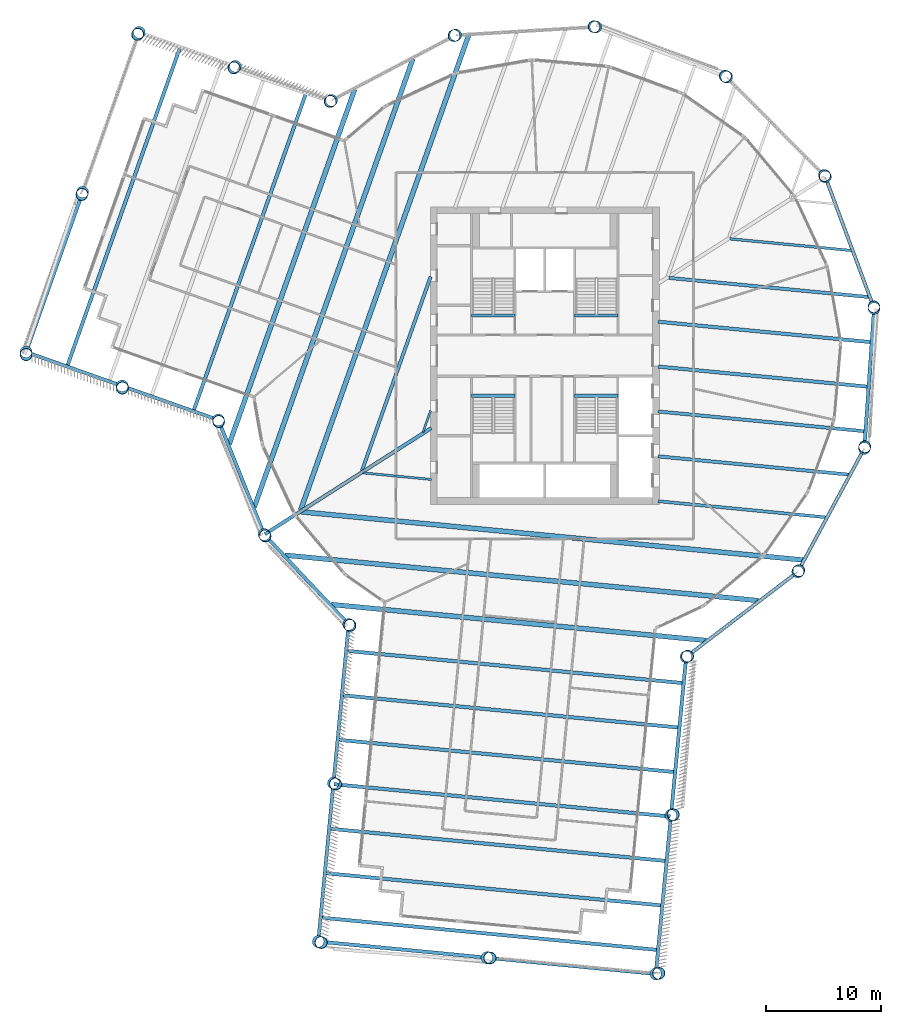
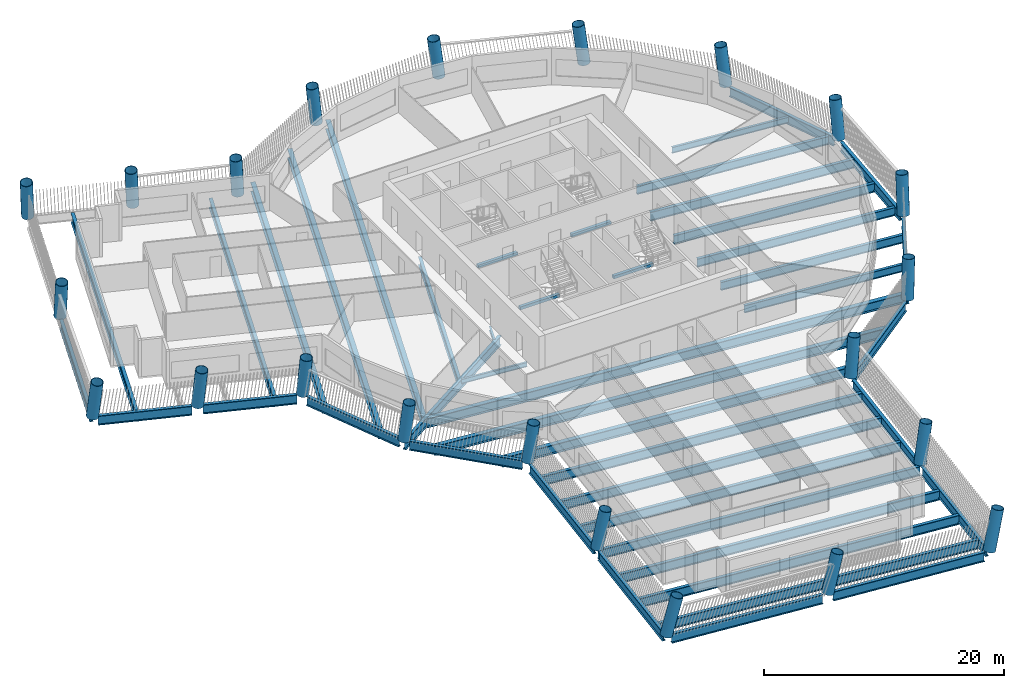
# One storey, part 1 of 15: 45 beams, 22 columns.
"""IFC4 building model written with IfcOpenShell, lengths in metres."""

import ifcopenshell
import ifcopenshell.guid

model = None  # the IFC model being written
_history = None  # IfcOwnerHistory: only IFC2X3 demands one
_inside = {}  # id of a spatial element -> (the spatial element, [elements in it])
_under = {}  # id of a project, library or spatial element -> (it, [spatial elements below it])
_declared = {}  # id of a project -> (the project, [libraries it declares])
_typed = {}  # id of a type object -> (the type object, [elements of that type])
_made_of = {}  # id of a material, layer set ... -> (it, [elements and type objects made of it])


def new_model(schema):
    """Start an empty IFC model of exactly this schema.

    Asked for "IFC4X3", IfcOpenShell would pick the latest addendum, in which some entities
    have other attributes; the version numbers below select the first issue.
    IFC2X3 requires an IfcOwnerHistory on every rooted entity: one is made here for all.
    """
    global model, _history
    if schema == "IFC4X3":
        model = ifcopenshell.file(schema_version=(4, 3, 0, 0))
    else:
        model = ifcopenshell.file(schema=schema)
    _inside.clear()
    _under.clear()
    _declared.clear()
    _typed.clear()
    _made_of.clear()
    _history = None
    if model.schema == "IFC2X3":
        org = make("IfcOrganization", Name="unknown")
        user = make(
            "IfcPersonAndOrganization",
            ThePerson=make("IfcPerson", FamilyName="unknown"),
            TheOrganization=org,
        )
        app = make(
            "IfcApplication",
            ApplicationDeveloper=org,
            Version="unknown",
            ApplicationFullName="unknown",
            ApplicationIdentifier="unknown",
        )
        _history = make(
            "IfcOwnerHistory",
            OwningUser=user,
            OwningApplication=app,
            ChangeAction="ADDED",
            CreationDate=0,
        )
    return model


def make(cls, **values):
    """One entity of the class cls with the attributes given. An attribute that is None is left unset."""
    return model.create_entity(
        cls, **{name: value for name, value in values.items() if value is not None}
    )


def rooted(cls, **values):
    """An entity with a GlobalId (a new one), such as an element, a storey or a relation."""
    return make(cls, GlobalId=ifcopenshell.guid.new(), OwnerHistory=_history, **values)


def si_unit(unit_type, name, prefix=None):
    """IfcSIUnit, for example si_unit("LENGTHUNIT", "METRE", prefix="MILLI")."""
    return make("IfcSIUnit", UnitType=unit_type, Prefix=prefix, Name=name)


def assignment(units):
    """IfcUnitAssignment: the units of a project."""
    return None if units is None else make("IfcUnitAssignment", Units=units)


def point(xyz):
    """IfcCartesianPoint."""
    return None if xyz is None else make("IfcCartesianPoint", Coordinates=xyz)


def direction(xyz):
    """IfcDirection."""
    return None if xyz is None else make("IfcDirection", DirectionRatios=xyz)


def frame(location, z_axis=None, x_axis=None):
    """IfcAxis2Placement3D, a coordinate frame: its origin and axes. An axis left out is left unset."""
    return make(
        "IfcAxis2Placement3D",
        Location=point(location),
        Axis=direction(z_axis),
        RefDirection=direction(x_axis),
    )


def frame_2d(location, x_axis=None):
    """IfcAxis2Placement2D, a coordinate frame in the plane: its origin and x axis."""
    return make(
        "IfcAxis2Placement2D", Location=point(location), RefDirection=direction(x_axis)
    )


def origin():
    """The frame at (0, 0, 0) with its axes left unset."""
    return frame((0.0, 0.0, 0.0))


def origin_2d():
    """The frame at (0, 0) in the plane with its x axis left unset."""
    return frame_2d((0.0, 0.0))


def place(relative_to, where):
    """IfcLocalPlacement: puts the frame where relative to a parent placement (None: the world)."""
    return make(
        "IfcLocalPlacement", PlacementRelTo=relative_to, RelativePlacement=where
    )


def context(
    kind, dimensions, precision=None, world=None, true_north=None, identifier=None
):
    """IfcGeometricRepresentationContext, for example the 3D "Model" context."""
    return make(
        "IfcGeometricRepresentationContext",
        ContextIdentifier=identifier,
        ContextType=kind,
        CoordinateSpaceDimension=dimensions,
        Precision=precision,
        WorldCoordinateSystem=world,
        TrueNorth=true_north,
    )


def subcontext(parent, identifier, kind, view, scale=None):
    """IfcGeometricRepresentationSubContext, for example "Body" below "Model"."""
    return make(
        "IfcGeometricRepresentationSubContext",
        ContextIdentifier=identifier,
        ContextType=kind,
        ParentContext=parent,
        TargetScale=scale,
        TargetView=view,
    )


def project(units=None, contexts=None):
    """IfcProject with its units and contexts."""
    return rooted(
        "IfcProject",
        Name="project",
        RepresentationContexts=contexts,
        UnitsInContext=assignment(units),
    )


def spatial(cls, under=None, at=None, **own):
    """A site, building, storey or space (cls), placed at a placement, below another one or the project."""
    s = rooted(cls, ObjectPlacement=at, **own)
    if under is not None:
        _under.setdefault(under.id(), (under, []))[1].append(s)
    return s


def profile(cls, at=None, kind="AREA", **sizes):
    """A parametric profile (cls). Its sizes go by their IFC names, for example OverallWidth=200.0."""
    return make(cls, ProfileType=kind, Position=at, **sizes)


def rectangle(**sizes):
    """IfcRectangleProfileDef."""
    return profile("IfcRectangleProfileDef", **sizes)


def hollow_circle(**sizes):
    """IfcCircleHollowProfileDef."""
    return profile("IfcCircleHollowProfileDef", **sizes)


def i_section(**sizes):
    """IfcIShapeProfileDef."""
    return profile("IfcIShapeProfileDef", **sizes)


def extrude(swept, where, along, depth):
    """IfcExtrudedAreaSolid: the profile swept, set in the frame where, extruded along a direction by depth."""
    return make(
        "IfcExtrudedAreaSolid",
        SweptArea=swept,
        Position=where,
        ExtrudedDirection=direction(along),
        Depth=depth,
    )


def shape(context_of_items, identifier, shape_type, items):
    """IfcShapeRepresentation: the items that make up one representation, for example the "Body"."""
    return make(
        "IfcShapeRepresentation",
        ContextOfItems=context_of_items,
        RepresentationIdentifier=identifier,
        RepresentationType=shape_type,
        Items=items,
    )


def material(Name=None, Category=None):
    """IfcMaterial."""
    return make("IfcMaterial", Name=Name, Category=Category)


def material_profile(
    of_material, cross_section, Name=None, Category=None, Priority=None
):
    """IfcMaterialProfile: a cross section and its material."""
    return make(
        "IfcMaterialProfile",
        Name=Name,
        Material=of_material,
        Profile=cross_section,
        Priority=Priority,
        Category=Category,
    )


def profile_set(profiles, Name=None, composite=None):
    """IfcMaterialProfileSet."""
    return make(
        "IfcMaterialProfileSet",
        Name=Name,
        MaterialProfiles=profiles,
        CompositeProfile=composite,
    )


def made_of(thing, what):
    """Note that an element or type object is made of a material, layer set ...; save() writes the relation."""
    if what is not None:
        _made_of.setdefault(what.id(), (what, []))[1].append(thing)
    return thing


def type_object(cls, material=None, **own):
    """A type object (cls), such as IfcWallType, which elements share."""
    return made_of(rooted(cls, **own), material)


def element(
    cls,
    number,
    at=None,
    inside=None,
    cuts=None,
    type_object=None,
    material=None,
    context=None,
    identifier="Body",
    shape_type=None,
    held_by="IfcProductDefinitionShape",
    body=None,
    shapes=None,
    **own,
):
    """One element of the class cls, such as IfcWall. Its Tag is "e" and its number.

    at: its placement. inside: the storey or other place that contains it. cuts: it is an
    opening in that element (IfcRelVoidsElement). A single representation is given by context,
    identifier, shape_type and body (its items); several are given by shapes. held_by: the class
    of the entity that holds the representations. save() writes the other relations.
    """
    e = rooted(cls, Tag="e%d" % number, ObjectPlacement=at, **own)
    if body is not None:
        shapes = [shape(context, identifier, shape_type, body)]
    if shapes is not None:
        e.Representation = make(held_by, Representations=shapes)
    if inside is not None:
        _inside.setdefault(inside.id(), (inside, []))[1].append(e)
    if cuts is not None:
        rooted(
            "IfcRelVoidsElement", RelatingBuildingElement=cuts, RelatedOpeningElement=e
        )
    if type_object is not None:
        _typed.setdefault(type_object.id(), (type_object, []))[1].append(e)
    return made_of(e, material)


def aggregate(whole, parts):
    """IfcRelAggregates: a whole, such as a stair, and the parts it consists of."""
    return rooted("IfcRelAggregates", RelatingObject=whole, RelatedObjects=parts)


def save(model, path):
    """Write the relations noted so far, then the file.

    IfcRelAggregates (storeys below a building ...), IfcRelContainedInSpatialStructure (elements
    in a storey), IfcRelDefinesByType, IfcRelAssociatesMaterial and IfcRelDeclares: one each for
    every whole, place, type object, material and project.
    """
    for whole, parts in _under.values():
        aggregate(whole, parts)
    for where, things in _inside.values():
        rooted(
            "IfcRelContainedInSpatialStructure",
            RelatedElements=things,
            RelatingStructure=where,
        )
    for kind, things in _typed.values():
        rooted("IfcRelDefinesByType", RelatedObjects=things, RelatingType=kind)
    for what, things in _made_of.values():
        rooted("IfcRelAssociatesMaterial", RelatedObjects=things, RelatingMaterial=what)
    for by, libraries in _declared.values():
        rooted("IfcRelDeclares", RelatingContext=by, RelatedDefinitions=libraries)
    model.write(path)


model = new_model("IFC4")

# Units and contexts
model_context = context("Model", 3, precision=1e-05, world=origin(), true_north=direction((0.0, 1.0)))
body_context = subcontext(model_context, "Body", "Model", "MODEL_VIEW")
ifc_project = project(units=[si_unit("LENGTHUNIT", "METRE"), si_unit("AREAUNIT", "SQUARE_METRE"), si_unit("VOLUMEUNIT", "CUBIC_METRE"), si_unit("PLANEANGLEUNIT", "RADIAN"), si_unit("MASSUNIT", "GRAM", prefix="KILO")], contexts=[model_context])

# Site, building, storey
site_placement = place(None, origin())
site = spatial("IfcSite", under=ifc_project, at=site_placement, CompositionType="ELEMENT")
building_placement = place(site_placement, origin())
building = spatial("IfcBuilding", under=site, at=building_placement, Name="Tarsis Ring Headquarters", CompositionType="ELEMENT")
storey_placement = place(building_placement, frame((0.0, 0.0, 204.300048828125)))
storey = spatial("IfcBuildingStorey", under=building, at=storey_placement, Name="L47", CompositionType="ELEMENT", Elevation=204.300048828125)

# Columns
ifc_material_1 = material(Name="Structural steel S355", Category="steel")
ifc_material_profile_1 = material_profile(ifc_material_1, hollow_circle(Radius=0.533447265625, WallThickness=0.044921875, at=origin_2d()), Name="CHS 1067x45")
ifc_profile_set_1 = profile_set([ifc_material_profile_1], Name="Structural steel S355")
column_type = type_object("IfcColumnType", Name="XC Exo column CHS 1067x45", PredefinedType="COLUMN", material=ifc_profile_set_1)
for number, where, z_axis, x_axis, name in (
    (1, (-24.49365234375, -15.616455078125, 0.0009765625), (0.067433901761, -0.103854423818, 0.992303848399), (0.838707268363, 0.544582517159, 0.0), "Exo column XC5 F1"),
    (2, (-17.119384765625, -23.468017578125, 0.0009765625), (0.1006841645, -0.072156984559, 0.992298376799), (0.582518941428, 0.812817127574, 0.0), "Exo column XC5 AK"),
):
    element("IfcColumn", number, at=place(storey_placement, frame(where, z_axis=z_axis, x_axis=x_axis)), inside=storey, type_object=column_type, Name=name, PredefinedType="COLUMN", context=body_context, shape_type="SweptSolid", body=[
        extrude(hollow_circle(Radius=0.533447265625, WallThickness=0.044921875, at=origin_2d()), origin(), (0.0, 0.0, 1.0), 3.92822265625),
    ])
column_1_placement = place(storey_placement, frame((-18.44677734375, -37.306640625, 0.001220703125), z_axis=(0.158412352334, -0.076708823007, 0.984388786558), x_axis=(0.435826472555, 0.900030713821, 0.0)))
element("IfcColumn", 3, at=column_1_placement, inside=storey, type_object=column_type, Name="Exo column XC5 AI1", PredefinedType="COLUMN", context=body_context, shape_type="SweptSolid", body=[
    extrude(hollow_circle(Radius=0.533447265625, WallThickness=0.044921875, at=origin_2d()), origin(), (0.0, 0.0, 1.0), 3.959228515625),
])
column_2_placement = place(storey_placement, frame((-19.7744140625, -51.1455078125, 0.001708984375), z_axis=(0.21461177935, -0.080868206711, 0.973345836436), x_axis=(0.352609234174, 0.935770659924, 0.0)))
element("IfcColumn", 4, at=column_2_placement, inside=storey, type_object=column_type, Name="Exo column XC5 AT1", PredefinedType="COLUMN", context=body_context, shape_type="SweptSolid", body=[
    extrude(hollow_circle(Radius=0.533447265625, WallThickness=0.044921875, at=origin_2d()), origin(), (0.0, 0.0, 1.0), 4.003173828125),
])
column_3_placement = place(storey_placement, frame((-5.0419921875, -52.558837890625, 0.001708984375), z_axis=(0.220401983568, -0.019247747387, 0.975219200929), x_axis=(0.086999069513, 0.996208392809, 0.0)))
element("IfcColumn", 5, at=column_3_placement, inside=storey, type_object=column_type, Name="Exo column XC5 AT2", PredefinedType="COLUMN", context=body_context, shape_type="SweptSolid", body=[
    extrude(hollow_circle(Radius=0.533447265625, WallThickness=0.044921875, at=origin_2d()), origin(), (0.0, 0.0, 1.0), 3.99560546875),
])
column_4_placement = place(storey_placement, frame((9.6904296875, -53.971923828125, 0.001708984375), z_axis=(0.225347759031, 0.042386114351, 0.973355949697), x_axis=(-0.184850559014, 0.982766641086, 0.0)))
element("IfcColumn", 6, at=column_4_placement, inside=storey, type_object=column_type, Name="Exo column XC5 AT3", PredefinedType="COLUMN", context=body_context, shape_type="SweptSolid", body=[
    extrude(hollow_circle(Radius=0.533447265625, WallThickness=0.044921875, at=origin_2d()), origin(), (0.0, 0.0, 1.0), 4.003173828125),
])
column_5_placement = place(storey_placement, frame((11.017822265625, -40.13330078125, 0.001220703125), z_axis=(0.169326691277, 0.048035503461, 0.984388674269), x_axis=(-0.272916054652, 0.962037851185, 0.0)))
element("IfcColumn", 7, at=column_5_placement, inside=storey, type_object=column_type, Name="Exo column XC5 AO1", PredefinedType="COLUMN", context=body_context, shape_type="SweptSolid", body=[
    extrude(hollow_circle(Radius=0.533447265625, WallThickness=0.044921875, at=origin_2d()), origin(), (0.0, 0.0, 1.0), 3.959228515625),
])
for number, where, z_axis, x_axis, name in (
    (8, (12.345458984375, -26.294677734375, 0.0009765625), (0.111623480272, 0.053574298438, 0.992305393112), (-0.432698429438, 0.901538723052, 0.0), "Exo column XC5 AJ"),
    (9, (22.086181640625, -18.8681640625, 0.0009765625), (0.079677709665, 0.094780426863, 0.992304455934), (-0.76545760543, 0.643486327974, 0.0), "Exo column XC5 R1"),
    (10, (27.900146484375, -8.087158203125, 0.0009765625), (0.033437107136, 0.11926730222, 0.992298982408), (-0.962875378254, 0.26994630198, 0.0), "Exo column XC5 R2"),
    (11, (28.753173828125, 4.132080078125, 0.0009765625), (-0.018645408668, 0.122376032223, 0.992308649299), (-0.988591223819, -0.150623345427, 0.0), "Exo column XC5 R3"),
    (12, (24.49365234375, 15.616455078125, 0.0009765625), (-0.067433901761, 0.103854423818, 0.992303848399), (-0.838707268363, -0.544582517159, 0.0), "Exo column XC5 R4"),
    (13, (15.879150390625, 24.32421875, 0.0009765625), (-0.104227634557, 0.066812586255, 0.992306746179), (-0.53966611472, -0.841879138964, 0.0), "Exo column XC5 R5"),
    (14, (4.44140625, 28.70703125, 0.0009765625), (-0.122561357897, 0.017899427522, 0.992299513275), (-0.144511609646, -0.989503104936, 0.0), "Exo column XC5 R6"),
    (15, (-7.7861328125, 27.985595703125, 0.0009765625), (-0.119019223295, -0.034183066743, 0.992303352022), (0.276046648251, -0.96114423891, 0.0), "Exo column XC5 R7"),
    (16, (-18.62939453125, 22.2880859375, 0.0009765625), (-0.094345501274, -0.080175030727, 0.992305845411), (0.647560987339, -0.762013626962, 0.0), "Exo column XC5 BJ"),
):
    element("IfcColumn", number, at=place(storey_placement, frame(where, z_axis=z_axis, x_axis=x_axis)), inside=storey, type_object=column_type, Name=name, PredefinedType="COLUMN", context=body_context, shape_type="SweptSolid", body=[
        extrude(hollow_circle(Radius=0.533447265625, WallThickness=0.044921875, at=origin_2d()), origin(), (0.0, 0.0, 1.0), 3.92822265625),
    ])
column_6_placement = place(storey_placement, frame((-27.02197265625, 25.2568359375, 0.001220703125), z_axis=(-0.106221285416, -0.115562819544, 0.987604310067), x_axis=(0.73623729326, -0.67672346495, 0.0)))
element("IfcColumn", 17, at=column_6_placement, inside=storey, type_object=column_type, Name="Exo column XC5 BO1", PredefinedType="COLUMN", context=body_context, shape_type="SweptSolid", body=[
    extrude(hollow_circle(Radius=0.533447265625, WallThickness=0.044921875, at=origin_2d()), origin(), (0.0, 0.0, 1.0), 3.9462890625),
])
column_7_placement = place(storey_placement, frame((-35.414794921875, 28.225341796875, 0.00146484375), z_axis=(-0.11776516929, -0.150296644253, 0.981601896712), x_axis=(0.787144659051, -0.616768421474, 0.0)))
element("IfcColumn", 18, at=column_7_placement, inside=storey, type_object=column_type, Name="Exo column XC5 BT3", PredefinedType="COLUMN", context=body_context, shape_type="SweptSolid", body=[
    extrude(hollow_circle(Radius=0.533447265625, WallThickness=0.044921875, at=origin_2d()), origin(), (0.0, 0.0, 1.0), 3.969970703125),
])
column_8_placement = place(storey_placement, frame((-40.35009765625, 14.272705078125, 0.00146484375), z_axis=(-0.058904086692, -0.171043665958, 0.98350107926), x_axis=(0.945503209706, -0.32561277683, 0.0)))
element("IfcColumn", 19, at=column_8_placement, inside=storey, type_object=column_type, Name="Exo column XC5 BT2", PredefinedType="COLUMN", context=body_context, shape_type="SweptSolid", body=[
    extrude(hollow_circle(Radius=0.533447265625, WallThickness=0.044921875, at=origin_2d()), origin(), (0.0, 0.0, 1.0), 3.96240234375),
])
column_9_placement = place(storey_placement, frame((-45.285400390625, 0.31982421875, 0.00146484375), z_axis=(0.000245981483, -0.191004621289, 0.981589106571), x_axis=(0.999999170748, 0.001287828939, 0.0)))
element("IfcColumn", 20, at=column_9_placement, inside=storey, type_object=column_type, Name="Exo column XC5 BT1", PredefinedType="COLUMN", context=body_context, shape_type="SweptSolid", body=[
    extrude(hollow_circle(Radius=0.533447265625, WallThickness=0.044921875, at=origin_2d()), origin(), (0.0, 0.0, 1.0), 3.969970703125),
])
column_10_placement = place(storey_placement, frame((-36.892822265625, -2.64892578125, 0.001220703125), z_axis=(0.012558618937, -0.15639501809, 0.987614742401), x_axis=(0.996791413053, 0.080042981349, 0.0)))
element("IfcColumn", 21, at=column_10_placement, inside=storey, type_object=column_type, Name="Exo column XC5 BI1", PredefinedType="COLUMN", context=body_context, shape_type="SweptSolid", body=[
    extrude(hollow_circle(Radius=0.533447265625, WallThickness=0.044921875, at=origin_2d()), origin(), (0.0, 0.0, 1.0), 3.9462890625),
])
column_11_placement = place(storey_placement, frame((-28.500244140625, -5.617431640625, 0.0009765625), z_axis=(0.024984608898, -0.121318299921, 0.992299168307), x_axis=(0.979445382349, 0.201709551078, 0.0)))
element("IfcColumn", 22, at=column_11_placement, inside=storey, type_object=column_type, Name="Exo column XC5 BK", PredefinedType="COLUMN", context=body_context, shape_type="SweptSolid", body=[
    extrude(hollow_circle(Radius=0.533447265625, WallThickness=0.044921875, at=origin_2d()), origin(), (0.0, 0.0, 1.0), 3.92822265625),
])

# Beams
ifc_material_profile_2 = material_profile(ifc_material_1, i_section(OverallWidth=0.177734375, OverallDepth=0.406494140625, WebThickness=0.0078125, FlangeThickness=0.0126953125, at=origin_2d()), Name="W16x40")
ifc_profile_set_2 = profile_set([ifc_material_profile_2], Name="Structural steel S355")
beam_type_1 = type_object("IfcBeamType", Name="FB Floor beam W16x40", PredefinedType="JOIST", material=ifc_profile_set_2)
beam_1_placement = place(storey_placement, frame((-9.966552734375, -4.786376953125, -0.36328125), z_axis=(-0.333568615695, -0.942725823675, 0.0), x_axis=(0.942725823675, -0.333568615695, 0.0)))
element("IfcBeam", 23, at=beam_1_placement, inside=storey, type_object=beam_type_1, Name="Floor beam FB1", PredefinedType="JOIST", context=body_context, shape_type="SweptSolid", body=[
    extrude(i_section(OverallWidth=0.177734375, OverallDepth=0.406494140625, WebThickness=0.0078125, FlangeThickness=0.0126953125, at=origin_2d()), origin(), (0.0, 0.0, 1.0), 1.995849609375),
])
ifc_material_profile_3 = material_profile(ifc_material_1, i_section(OverallWidth=0.1904296875, OverallDepth=0.457275390625, WebThickness=0.009033203125, FlangeThickness=0.014404296875, at=origin_2d()), Name="W18x50")
ifc_profile_set_3 = profile_set([ifc_material_profile_3], Name="Structural steel S355")
beam_type_2 = type_object("IfcBeamType", Name="FB Floor beam W18x50", PredefinedType="JOIST", material=ifc_profile_set_3)
beam_2_placement = place(storey_placement, frame((-15.873291015625, -10.23095703125, -0.388671875), z_axis=(0.995429953053, -0.095494547305, 0.0), x_axis=(0.095494547305, 0.995429953053, 0.0)))
element("IfcBeam", 24, at=beam_2_placement, inside=storey, type_object=beam_type_2, Name="Floor beam FB2", PredefinedType="JOIST", context=body_context, shape_type="SweptSolid", body=[
    extrude(i_section(OverallWidth=0.1904296875, OverallDepth=0.457275390625, WebThickness=0.009033203125, FlangeThickness=0.014404296875, at=origin_2d()), origin(), (0.0, 0.0, 1.0), 6.000244140625),
])
ifc_material_profile_4 = material_profile(ifc_material_1, i_section(OverallWidth=0.228271484375, OverallDepth=0.607177734375, WebThickness=0.01123046875, FlangeThickness=0.017333984375, at=origin_2d()), Name="W24x76")
ifc_profile_set_4 = profile_set([ifc_material_profile_4], Name="Structural steel S355")
beam_type_3 = type_object("IfcBeamType", Name="FB Floor beam W24x76", PredefinedType="JOIST", material=ifc_profile_set_4)
beam_3_placement = place(storey_placement, frame((16.17529296875, 10.201904296875, -0.463623046875), z_axis=(0.995430438947, -0.095489482241, 0.0), x_axis=(0.095489482241, 0.995430438947, 0.0)))
element("IfcBeam", 25, at=beam_3_placement, inside=storey, type_object=beam_type_3, Name="Floor beam FB4", PredefinedType="JOIST", context=body_context, shape_type="SweptSolid", body=[
    extrude(i_section(OverallWidth=0.228271484375, OverallDepth=0.607177734375, WebThickness=0.01123046875, FlangeThickness=0.017333984375, at=origin_2d()), origin(), (0.0, 0.0, 1.0), 10.6845703125),
])
ifc_material_profile_5 = material_profile(ifc_material_1, i_section(OverallWidth=0.2666015625, OverallDepth=0.7568359375, WebThickness=0.013916015625, FlangeThickness=0.019287109375, at=origin_2d()), Name="W30x108")
ifc_profile_set_5 = profile_set([ifc_material_profile_5], Name="Structural steel S355")
beam_type_4 = type_object("IfcBeamType", Name="FB Floor beam W30x108", PredefinedType="JOIST", material=ifc_profile_set_5)
beam_4_placement = place(storey_placement, frame((9.900390625, -12.70361328125, -0.53857421875), z_axis=(0.995430207072, -0.095491899386, 0.0), x_axis=(0.095491899386, 0.995430207072, 0.0)))
element("IfcBeam", 26, at=beam_4_placement, inside=storey, type_object=beam_type_4, Name="Floor beam FB6", PredefinedType="JOIST", context=body_context, shape_type="SweptSolid", body=[
    extrude(i_section(OverallWidth=0.2666015625, OverallDepth=0.7568359375, WebThickness=0.013916015625, FlangeThickness=0.019287109375, at=origin_2d()), origin(), (0.0, 0.0, 1.0), 14.746826171875),
])
ifc_material_profile_6 = material_profile(ifc_material_1, i_section(OverallWidth=0.2919921875, OverallDepth=0.835693359375, WebThickness=0.013916015625, FlangeThickness=0.018798828125, at=origin_2d()), Name="W33x118")
ifc_profile_set_6 = profile_set([ifc_material_profile_6], Name="Structural steel S355")
beam_type_5 = type_object("IfcBeamType", Name="FB Floor beam W33x118", PredefinedType="JOIST", material=ifc_profile_set_6)
beam_5_placement = place(storey_placement, frame((10.833740234375, 6.79638671875, -0.577880859375), z_axis=(0.995430142511, -0.095492572389, 0.0), x_axis=(0.095492572389, 0.995430142511, 0.0)))
element("IfcBeam", 27, at=beam_5_placement, inside=storey, type_object=beam_type_5, Name="Floor beam FB7", PredefinedType="JOIST", context=body_context, shape_type="SweptSolid", body=[
    extrude(i_section(OverallWidth=0.2919921875, OverallDepth=0.835693359375, WebThickness=0.013916015625, FlangeThickness=0.018798828125, at=origin_2d()), origin(), (0.0, 0.0, 1.0), 17.564208984375),
])
beam_6_placement = place(storey_placement, frame((9.900390625, -4.86767578125, -0.577880859375), z_axis=(0.995429876772, -0.095495342451, 0.0), x_axis=(0.095495342451, 0.995429876772, 0.0)))
element("IfcBeam", 28, at=beam_6_placement, inside=storey, type_object=beam_type_5, Name="Floor beam FB7", PredefinedType="JOIST", context=body_context, shape_type="SweptSolid", body=[
    extrude(i_section(OverallWidth=0.2919921875, OverallDepth=0.835693359375, WebThickness=0.013916015625, FlangeThickness=0.018798828125, at=origin_2d()), origin(), (0.0, 0.0, 1.0), 18.131103515625),
])
beam_7_placement = place(storey_placement, frame((9.900390625, -8.78564453125, -0.577880859375), z_axis=(0.995429257907, -0.095501793188, 0.0), x_axis=(0.095501793188, 0.995429257907, 0.0)))
element("IfcBeam", 29, at=beam_7_placement, inside=storey, type_object=beam_type_5, Name="Floor beam FB7", PredefinedType="JOIST", context=body_context, shape_type="SweptSolid", body=[
    extrude(i_section(OverallWidth=0.2919921875, OverallDepth=0.835693359375, WebThickness=0.013916015625, FlangeThickness=0.018798828125, at=origin_2d()), origin(), (0.0, 0.0, 1.0), 16.764892578125),
])
beam_8_placement = place(storey_placement, frame((-9.966552734375, 6.90869140625, -0.577880859375), z_axis=(-0.33348006328, -0.942757151866, 0.0), x_axis=(0.942757151866, -0.33348006328, 0.0)))
element("IfcBeam", 30, at=beam_8_placement, inside=storey, type_object=beam_type_5, Name="Floor beam FB7", PredefinedType="JOIST", context=body_context, shape_type="SweptSolid", body=[
    extrude(i_section(OverallWidth=0.2919921875, OverallDepth=0.835693359375, WebThickness=0.013916015625, FlangeThickness=0.018798828125, at=origin_2d()), origin(), (0.0, 0.0, 1.0), 18.013427734375),
])
ifc_material_profile_7 = material_profile(ifc_material_1, i_section(OverallWidth=0.3046875, OverallDepth=0.904296875, WebThickness=0.01513671875, FlangeThickness=0.02001953125, at=origin_2d()), Name="W36x135")
ifc_profile_set_7 = profile_set([ifc_material_profile_7], Name="Structural steel S355")
beam_type_6 = type_object("IfcBeamType", Name="FB Floor beam W36x135", PredefinedType="JOIST", material=ifc_profile_set_7)
beam_9_placement = place(storey_placement, frame((9.900390625, 2.968017578125, -0.612060546875), z_axis=(0.995430558393, -0.095488237066, 0.0), x_axis=(0.095488237066, 0.995430558393, 0.0)))
element("IfcBeam", 31, at=beam_9_placement, inside=storey, type_object=beam_type_6, Name="Floor beam FB8", PredefinedType="JOIST", context=body_context, shape_type="SweptSolid", body=[
    extrude(i_section(OverallWidth=0.3046875, OverallDepth=0.904296875, WebThickness=0.01513671875, FlangeThickness=0.02001953125, at=origin_2d()), origin(), (0.0, 0.0, 1.0), 18.67724609375),
])
beam_10_placement = place(storey_placement, frame((9.900390625, -0.94970703125, -0.612060546875), z_axis=(0.995429592144, -0.09549830933, 0.0), x_axis=(0.09549830933, 0.995429592144, 0.0)))
element("IfcBeam", 32, at=beam_10_placement, inside=storey, type_object=beam_type_6, Name="Floor beam FB8", PredefinedType="JOIST", context=body_context, shape_type="SweptSolid", body=[
    extrude(i_section(OverallWidth=0.3046875, OverallDepth=0.904296875, WebThickness=0.01513671875, FlangeThickness=0.02001953125, at=origin_2d()), origin(), (0.0, 0.0, 1.0), 18.404296875),
])
ifc_material_profile_8 = material_profile(ifc_material_1, i_section(OverallWidth=0.309814453125, OverallDepth=0.949951171875, WebThickness=0.0244140625, FlangeThickness=0.0439453125, at=origin_2d()), Name="W36x256")
ifc_profile_set_8 = profile_set([ifc_material_profile_8], Name="Structural steel S355")
beam_type_7 = type_object("IfcBeamType", Name="FB Floor beam W36x256", PredefinedType="JOIST", material=ifc_profile_set_8)
for number, where, z_axis, x_axis, name in (
    (33, (-17.28466796875, -25.76708984375, -0.635009765625), (0.995429861634, -0.095495500245, 0.0), (0.095495500245, 0.995429861634, 0.0), "Floor beam FB11"),
    (34, (-17.6572265625, -29.649169921875, -0.635009765625), (0.99542907463, -0.095503703498, 0.0), (0.095503703498, 0.99542907463, 0.0), "Floor beam FB11"),
    (35, (-18.029541015625, -33.531494140625, -0.635009765625), (0.995429861634, -0.095495500245, 0.0), (0.095495500245, 0.995429861634, 0.0), "Floor beam FB11"),
    (36, (-18.402099609375, -37.41357421875, -0.635009765625), (0.99542907463, -0.095503703498, 0.0), (0.095503703498, 0.99542907463, 0.0), "Floor beam FB11"),
    (37, (-18.7744140625, -41.2958984375, -0.635009765625), (0.995429861634, -0.095495500245, 0.0), (0.095495500245, 0.995429861634, 0.0), "Floor beam FB11"),
    (38, (-19.14697265625, -45.177978515625, -0.635009765625), (0.995429861634, -0.095495500245, 0.0), (0.095495500245, 0.995429861634, 0.0), "Floor beam FB11"),
):
    element("IfcBeam", number, at=place(storey_placement, frame(where, z_axis=z_axis, x_axis=x_axis)), inside=storey, type_object=beam_type_7, Name=name, PredefinedType="JOIST", context=body_context, shape_type="SweptSolid", body=[
        extrude(i_section(OverallWidth=0.309814453125, OverallDepth=0.949951171875, WebThickness=0.0244140625, FlangeThickness=0.0439453125, at=origin_2d()), origin(), (0.0, 0.0, 1.0), 29.489990234375),
    ])
for number, where, z_axis, x_axis, name in (
    (39, (-19.51953125, -49.06005859375, -0.635009765625), (0.995429150139, -0.095502916467, 0.0), (0.095502916467, 0.995429150139, 0.0), "Floor beam FB11"),
    (40, (-20.820068359375, 23.0048828125, -0.635009765625), (-0.333483453891, -0.942755952504, 0.0), (0.942755952504, -0.333483453891, 0.0), "Floor beam FB11"),
    (41, (-31.850341796875, 26.90673828125, -0.635009765625), (-0.333483453891, -0.942755952504, 0.0), (0.942755952504, -0.333483453891, 0.0), "Floor beam FB11"),
):
    element("IfcBeam", number, at=place(storey_placement, frame(where, z_axis=z_axis, x_axis=x_axis)), inside=storey, type_object=beam_type_7, Name=name, PredefinedType="JOIST", context=body_context, shape_type="SweptSolid", body=[
        extrude(i_section(OverallWidth=0.309814453125, OverallDepth=0.949951171875, WebThickness=0.0244140625, FlangeThickness=0.0439453125, at=origin_2d()), origin(), (0.0, 0.0, 1.0), 29.490234375),
    ])
beam_type_8 = type_object("IfcBeamType", Name="FB Floor beam W36x256 spine", PredefinedType="BEAM", material=ifc_profile_set_8)
beam_11_placement = place(storey_placement, frame((-9.915771484375, -6.32177734375, -0.635009765625), z_axis=(-0.843200865294, -0.537598642826, 0.0), x_axis=(0.537598642826, -0.843200865294, 0.0)))
element("IfcBeam", 42, at=beam_11_placement, inside=storey, type_object=beam_type_8, Name="Floor beam SB11", PredefinedType="BEAM", context=body_context, shape_type="SweptSolid", body=[
    extrude(i_section(OverallWidth=0.309814453125, OverallDepth=0.949951171875, WebThickness=0.0244140625, FlangeThickness=0.0439453125, at=origin_2d()), origin(), (0.0, 0.0, 1.0), 17.231201171875),
])
ifc_material_profile_9 = material_profile(ifc_material_1, i_section(OverallWidth=0.42431640625, OverallDepth=0.947509765625, WebThickness=0.02392578125, FlangeThickness=0.042724609375, at=origin_2d()), Name="W36x302")
ifc_profile_set_9 = profile_set([ifc_material_profile_9], Name="Structural steel S355")
beam_type_9 = type_object("IfcBeamType", Name="FB Floor beam W36x302", PredefinedType="JOIST", material=ifc_profile_set_9)
beam_12_placement = place(storey_placement, frame((-21.214599609375, -13.636474609375, -0.6337890625), z_axis=(0.995430055209, -0.09549348243, 0.0), x_axis=(0.09549348243, 0.995430055209, 0.0)))
element("IfcBeam", 43, at=beam_12_placement, inside=storey, type_object=beam_type_9, Name="Floor beam FB12", PredefinedType="JOIST", context=body_context, shape_type="SweptSolid", body=[
    extrude(i_section(OverallWidth=0.42431640625, OverallDepth=0.947509765625, WebThickness=0.02392578125, FlangeThickness=0.042724609375, at=origin_2d()), origin(), (0.0, 0.0, 1.0), 43.986572265625),
])
beam_13_placement = place(storey_placement, frame((-22.68408203125, -17.413330078125, -0.6337890625), z_axis=(0.995429860714, -0.095495509839, 0.0), x_axis=(0.095495509839, 0.995429860714, 0.0)))
element("IfcBeam", 44, at=beam_13_placement, inside=storey, type_object=beam_type_9, Name="Floor beam FB12", PredefinedType="JOIST", context=body_context, shape_type="SweptSolid", body=[
    extrude(i_section(OverallWidth=0.42431640625, OverallDepth=0.947509765625, WebThickness=0.02392578125, FlangeThickness=0.042724609375, at=origin_2d()), origin(), (0.0, 0.0, 1.0), 41.523681640625),
])
beam_14_placement = place(storey_placement, frame((-18.639892578125, -21.71923828125, -0.6337890625), z_axis=(0.995429985918, -0.095494204719, 0.0), x_axis=(0.095494204719, 0.995429985918, 0.0)))
element("IfcBeam", 45, at=beam_14_placement, inside=storey, type_object=beam_type_9, Name="Floor beam FB12", PredefinedType="JOIST", context=body_context, shape_type="SweptSolid", body=[
    extrude(i_section(OverallWidth=0.42431640625, OverallDepth=0.947509765625, WebThickness=0.02392578125, FlangeThickness=0.042724609375, at=origin_2d()), origin(), (0.0, 0.0, 1.0), 32.875244140625),
])
beam_15_placement = place(storey_placement, frame((-6.646484375, 27.989990234375, -0.6337890625), z_axis=(-0.333475592365, -0.942758733344, 0.0), x_axis=(0.942758733344, -0.333475592365, 0.0)))
element("IfcBeam", 46, at=beam_15_placement, inside=storey, type_object=beam_type_9, Name="Floor beam FB12", PredefinedType="JOIST", context=body_context, shape_type="SweptSolid", body=[
    extrude(i_section(OverallWidth=0.42431640625, OverallDepth=0.947509765625, WebThickness=0.02392578125, FlangeThickness=0.042724609375, at=origin_2d()), origin(), (0.0, 0.0, 1.0), 43.986572265625),
])
beam_16_placement = place(storey_placement, frame((-11.511962890625, 25.9296875, -0.6337890625), z_axis=(-0.333480333056, -0.942757056439, 0.0), x_axis=(0.942757056439, -0.333480333056, 0.0)))
element("IfcBeam", 47, at=beam_16_placement, inside=storey, type_object=beam_type_9, Name="Floor beam FB12", PredefinedType="JOIST", context=body_context, shape_type="SweptSolid", body=[
    extrude(i_section(OverallWidth=0.42431640625, OverallDepth=0.947509765625, WebThickness=0.02392578125, FlangeThickness=0.042724609375, at=origin_2d()), origin(), (0.0, 0.0, 1.0), 41.52392578125),
])
beam_17_placement = place(storey_placement, frame((-16.59326171875, 23.259765625, -0.6337890625), z_axis=(-0.333476908207, -0.942758267899, 0.0), x_axis=(0.942758267899, -0.333476908207, 0.0)))
element("IfcBeam", 48, at=beam_17_placement, inside=storey, type_object=beam_type_9, Name="Floor beam FB12", PredefinedType="JOIST", context=body_context, shape_type="SweptSolid", body=[
    extrude(i_section(OverallWidth=0.42431640625, OverallDepth=0.947509765625, WebThickness=0.02392578125, FlangeThickness=0.042724609375, at=origin_2d()), origin(), (0.0, 0.0, 1.0), 32.875244140625),
])
ifc_material_2 = material(Name="Concrete C40/50", Category="concrete")
ifc_material_profile_10 = material_profile(ifc_material_2, rectangle(XDim=0.300048828125, YDim=0.300048828125, at=origin_2d()), Name="Stair head beam 300x300 C40/50")
ifc_profile_set_10 = profile_set([ifc_material_profile_10], Name="Concrete C40/50")
beam_type_10 = type_object("IfcBeamType", Name="Stair head beam 300x300 C40/50", PredefinedType="BEAM", material=ifc_profile_set_10)
for number, where, z_axis, x_axis, name in (
    (49, (-6.39990234375, 3.510009765625, -0.31005859375), (1.0, 0.0, 0.0), (0.0, 1.0, 0.0), "Stair head beam L47 Firefighting stair"),
    (50, (2.60009765625, 3.510009765625, -0.31005859375), (1.0, 0.0, 0.0), (0.0, 1.0, 0.0), "Stair head beam L47 Exit stair B"),
    (51, (-6.39990234375, -3.510009765625, -0.31005859375), (1.0, 0.0, 0.0), (0.0, 1.0, 0.0), "Stair head beam L47 Exit stair C"),
    (52, (2.60009765625, -3.510009765625, -0.31005859375), (1.0, 0.0, 0.0), (0.0, 1.0, 0.0), "Stair head beam L47 Exit stair D"),
):
    element("IfcBeam", number, at=place(storey_placement, frame(where, z_axis=z_axis, x_axis=x_axis)), inside=storey, type_object=beam_type_10, Name=name, PredefinedType="BEAM", context=body_context, shape_type="SweptSolid", body=[
        extrude(rectangle(XDim=0.300048828125, YDim=0.300048828125, at=origin_2d()), origin(), (0.0, 0.0, 1.0), 3.7998046875),
    ])
beam_type_11 = type_object("IfcBeamType", Name="XG Ring girder W36x256", PredefinedType="BEAM", material=ifc_profile_set_8)
beam_18_placement = place(storey_placement, frame((-24.165283203125, -15.96630859375, -0.47509765625), z_axis=(0.684626993195, -0.728893600046, 0.0), x_axis=(0.728893600046, 0.684626993195, 0.0)))
element("IfcBeam", 53, at=beam_18_placement, inside=storey, type_object=beam_type_11, Name="Ring girder XG2", PredefinedType="BEAM", context=body_context, shape_type="SweptSolid", body=[
    extrude(i_section(OverallWidth=0.309814453125, OverallDepth=0.949951171875, WebThickness=0.0244140625, FlangeThickness=0.0439453125, at=origin_2d()), origin(), (0.0, 0.0, 1.0), 9.8115234375),
])
for number, where, z_axis, x_axis, name in (
    (54, (-17.165283203125, -23.94580078125, -0.47509765625), (-0.095489189188, -0.995430467058, 0.0), (0.995430467058, -0.095489189188, 0.0), "Ring girder XG2"),
    (55, (-18.492919921875, -37.784423828125, -0.47509765625), (-0.095489189188, -0.995430467058, 0.0), (0.995430467058, -0.095489189188, 0.0), "Ring girder XG2"),
):
    element("IfcBeam", number, at=place(storey_placement, frame(where, z_axis=z_axis, x_axis=x_axis)), inside=storey, type_object=beam_type_11, Name=name, PredefinedType="BEAM", context=body_context, shape_type="SweptSolid", body=[
        extrude(i_section(OverallWidth=0.309814453125, OverallDepth=0.949951171875, WebThickness=0.0244140625, FlangeThickness=0.0439453125, at=origin_2d()), origin(), (0.0, 0.0, 1.0), 12.942138671875),
    ])
for number, where, z_axis, x_axis, name in (
    (56, (-19.296875, -51.191162109375, -0.47509765625), (0.995428949074, -0.095505012144, 0.0), (0.095505012144, 0.995428949074, 0.0), "Ring girder XG2"),
    (57, (-4.564453125, -52.6044921875, -0.47509765625), (0.995428949074, -0.095505012144, 0.0), (0.095505012144, 0.995428949074, 0.0), "Ring girder XG2"),
):
    element("IfcBeam", number, at=place(storey_placement, frame(where, z_axis=z_axis, x_axis=x_axis)), inside=storey, type_object=beam_type_11, Name=name, PredefinedType="BEAM", context=body_context, shape_type="SweptSolid", body=[
        extrude(i_section(OverallWidth=0.309814453125, OverallDepth=0.949951171875, WebThickness=0.0244140625, FlangeThickness=0.0439453125, at=origin_2d()), origin(), (0.0, 0.0, 1.0), 13.83984375),
    ])
beam_19_placement = place(storey_placement, frame((9.73583984375, -53.494140625, -0.47509765625), z_axis=(0.095509674506, 0.99542850174, 0.0), x_axis=(-0.99542850174, 0.095509674506, 0.0)))
element("IfcBeam", 58, at=beam_19_placement, inside=storey, type_object=beam_type_11, Name="Ring girder XG2", PredefinedType="BEAM", context=body_context, shape_type="SweptSolid", body=[
    extrude(i_section(OverallWidth=0.309814453125, OverallDepth=0.949951171875, WebThickness=0.0244140625, FlangeThickness=0.0439453125, at=origin_2d()), origin(), (0.0, 0.0, 1.0), 12.94189453125),
])
beam_20_placement = place(storey_placement, frame((11.0634765625, -39.655517578125, -0.47509765625), z_axis=(0.095507881058, 0.995428673816, 0.0), x_axis=(-0.995428673816, 0.095507881058, 0.0)))
element("IfcBeam", 59, at=beam_20_placement, inside=storey, type_object=beam_type_11, Name="Ring girder XG2", PredefinedType="BEAM", context=body_context, shape_type="SweptSolid", body=[
    extrude(i_section(OverallWidth=0.309814453125, OverallDepth=0.949951171875, WebThickness=0.0244140625, FlangeThickness=0.0439453125, at=origin_2d()), origin(), (0.0, 0.0, 1.0), 12.942138671875),
])
beam_21_placement = place(storey_placement, frame((12.72705078125, -26.003662109375, -0.47509765625), z_axis=(0.79524402092, 0.606289491242, 0.0), x_axis=(-0.606289491242, 0.79524402092, 0.0)))
element("IfcBeam", 60, at=beam_21_placement, inside=storey, type_object=beam_type_11, Name="Ring girder XG2", PredefinedType="BEAM", context=body_context, shape_type="SweptSolid", body=[
    extrude(i_section(OverallWidth=0.309814453125, OverallDepth=0.949951171875, WebThickness=0.0244140625, FlangeThickness=0.0439453125, at=origin_2d()), origin(), (0.0, 0.0, 1.0), 11.288818359375),
])
beam_22_placement = place(storey_placement, frame((22.31396484375, -18.44580078125, -0.47509765625), z_axis=(0.474647846741, 0.88017579016, 0.0), x_axis=(-0.88017579016, 0.474647846741, 0.0)))
element("IfcBeam", 61, at=beam_22_placement, inside=storey, type_object=beam_type_11, Name="Ring girder XG2", PredefinedType="BEAM", context=body_context, shape_type="SweptSolid", body=[
    extrude(i_section(OverallWidth=0.309814453125, OverallDepth=0.949951171875, WebThickness=0.0244140625, FlangeThickness=0.0439453125, at=origin_2d()), origin(), (0.0, 0.0, 1.0), 11.28857421875),
])
for number, where, z_axis, x_axis, name in (
    (62, (27.93359375, -7.6083984375, -0.47509765625), (0.069637803009, 0.997572341433, 0.0), (-0.997572341433, 0.069637803009, 0.0), "Ring girder XG2"),
    (63, (28.586181640625, 4.58203125, -0.47509765625), (-0.347739058067, 0.937591354213, 0.0), (-0.937591354213, -0.347739058067, 0.0), "Ring girder XG2"),
):
    element("IfcBeam", number, at=place(storey_placement, frame(where, z_axis=z_axis, x_axis=x_axis)), inside=storey, type_object=beam_type_11, Name=name, PredefinedType="BEAM", context=body_context, shape_type="SweptSolid", body=[
        extrude(i_section(OverallWidth=0.309814453125, OverallDepth=0.949951171875, WebThickness=0.0244140625, FlangeThickness=0.0439453125, at=origin_2d()), origin(), (0.0, 0.0, 1.0), 11.288818359375),
    ])
beam_23_placement = place(storey_placement, frame((-40.510009765625, 13.8203125, -0.47509765625), z_axis=(-0.333490855402, -0.942753334316, 0.0), x_axis=(0.942753334316, -0.333490855402, 0.0)))
element("IfcBeam", 64, at=beam_23_placement, inside=storey, type_object=beam_type_11, Name="Ring girder XG2", PredefinedType="BEAM", context=body_context, shape_type="SweptSolid", body=[
    extrude(i_section(OverallWidth=0.309814453125, OverallDepth=0.949951171875, WebThickness=0.0244140625, FlangeThickness=0.0439453125, at=origin_2d()), origin(), (0.0, 0.0, 1.0), 13.83984375),
])
beam_24_placement = place(storey_placement, frame((-44.8330078125, 0.159912109375, -0.47509765625), z_axis=(0.942761974698, -0.333466428691, 0.0), x_axis=(0.333466428691, 0.942761974698, 0.0)))
element("IfcBeam", 65, at=beam_24_placement, inside=storey, type_object=beam_type_11, Name="Ring girder XG2", PredefinedType="BEAM", context=body_context, shape_type="SweptSolid", body=[
    extrude(i_section(OverallWidth=0.309814453125, OverallDepth=0.949951171875, WebThickness=0.0244140625, FlangeThickness=0.0439453125, at=origin_2d()), origin(), (0.0, 0.0, 1.0), 7.942138671875),
])
beam_25_placement = place(storey_placement, frame((-36.440185546875, -2.808837890625, -0.47509765625), z_axis=(0.942758556277, -0.333476092947, 0.0), x_axis=(0.333476092947, 0.942758556277, 0.0)))
element("IfcBeam", 66, at=beam_25_placement, inside=storey, type_object=beam_type_11, Name="Ring girder XG2", PredefinedType="BEAM", context=body_context, shape_type="SweptSolid", body=[
    extrude(i_section(OverallWidth=0.309814453125, OverallDepth=0.949951171875, WebThickness=0.0244140625, FlangeThickness=0.0439453125, at=origin_2d()), origin(), (0.0, 0.0, 1.0), 7.94189453125),
])
beam_26_placement = place(storey_placement, frame((-28.321533203125, -6.06298828125, -0.47509765625), z_axis=(0.371926886946, -0.928262026998, 0.0), x_axis=(0.928262026998, 0.371926886946, 0.0)))
element("IfcBeam", 67, at=beam_26_placement, inside=storey, type_object=beam_type_11, Name="Ring girder XG2", PredefinedType="BEAM", context=body_context, shape_type="SweptSolid", body=[
    extrude(i_section(OverallWidth=0.309814453125, OverallDepth=0.949951171875, WebThickness=0.0244140625, FlangeThickness=0.0439453125, at=origin_2d()), origin(), (0.0, 0.0, 1.0), 9.8115234375),
])

save(model, "model.ifc")
